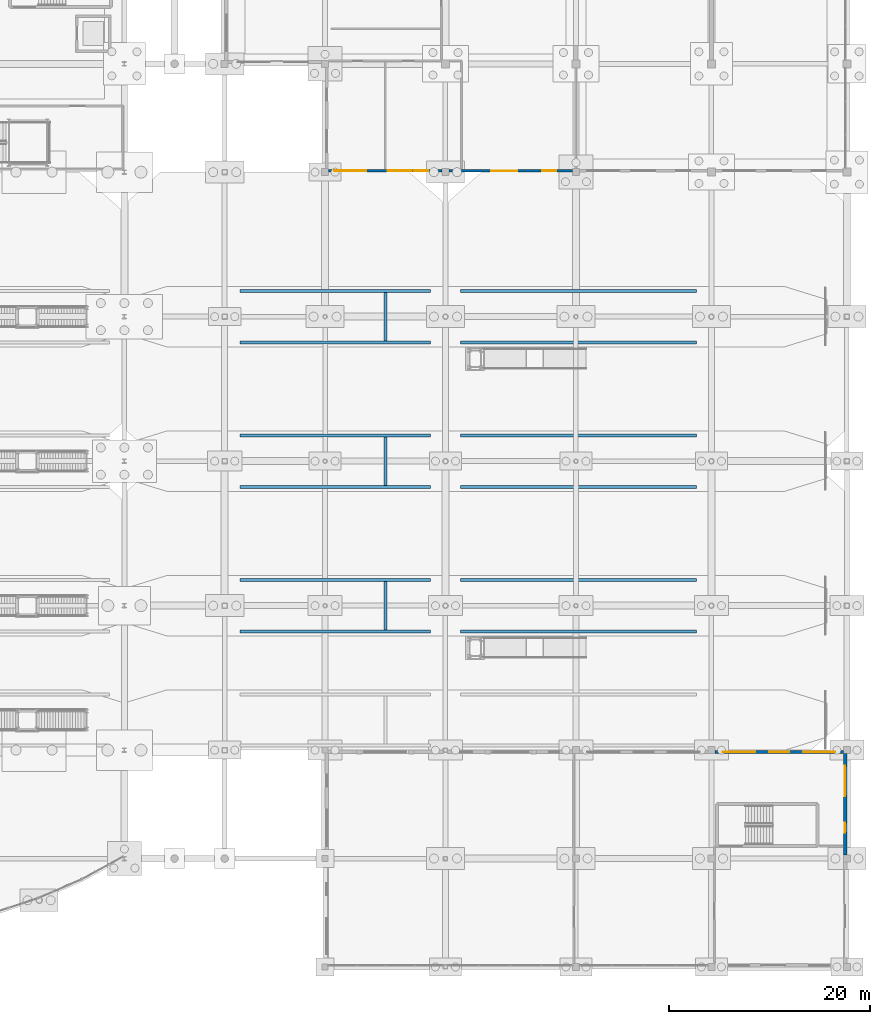
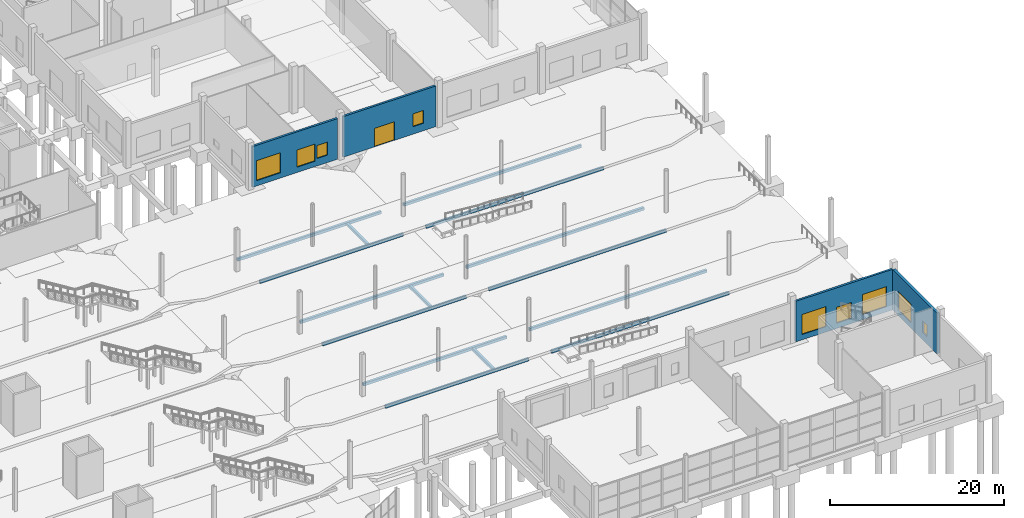
# One storey, part 93 of 115: 19 walls, 9 windows, 1 door, 10 openings.
"""IFC4 building model written with IfcOpenShell, lengths in metres."""

from ifc_helpers import new_model, si_unit, direction, frame, frame_2d, origin, place, context, subcontext, project, spatial, rectangle, extrude, material, layer, layer_set, type_object, element, fill, save


model = new_model("IFC4")

# Units and contexts
model_context = context("Model", 3, precision=1e-05, world=origin(), true_north=direction((0.0, 1.0)))
body_context = subcontext(model_context, "Body", "Model", "MODEL_VIEW")
ifc_project = project(units=[si_unit("LENGTHUNIT", "METRE"), si_unit("AREAUNIT", "SQUARE_METRE"), si_unit("VOLUMEUNIT", "CUBIC_METRE"), si_unit("PLANEANGLEUNIT", "RADIAN"), si_unit("MASSUNIT", "GRAM", prefix="KILO")], contexts=[model_context])

# Site, building, storey
site_placement = place(None, origin())
site = spatial("IfcSite", under=ifc_project, at=site_placement, CompositionType="ELEMENT")
building_placement = place(site_placement, origin())
building = spatial("IfcBuilding", under=site, at=building_placement, Name="Tamarisk Ironworks Central Station", CompositionType="ELEMENT")
storey_placement = place(building_placement, origin())
storey = spatial("IfcBuildingStorey", under=building, at=storey_placement, Name="L00", CompositionType="ELEMENT", Elevation=0.0)

# Wall, openings, windows
ifc_material_1 = material(Name="Clay facing brickwork and mortar", Category="masonry")
ifc_layer_1 = layer(ifc_material_1, 0.280029296875)
ifc_layer_set_1 = layer_set([ifc_layer_1], Name="Clay facing brickwork and mortar")
wall_type_1 = type_object("IfcWallType", Name="WL-BR280", PredefinedType="STANDARD", material=ifc_layer_set_1)
wall_1_placement = place(storey_placement, frame((128.347900390625, 79.340087890625, 0.0), z_axis=(0.0, 0.0, 1.0), x_axis=(1.0, 0.0, 0.0)))
wall_1 = element("IfcWall", 1, at=wall_1_placement, inside=storey, type_object=wall_type_1, Name="L00 brick facade wall 0045", PredefinedType="STANDARD", context=body_context, shape_type="SweptSolid", body=[
    extrude(rectangle(XDim=11.30419921875, YDim=0.280029296875, at=frame_2d((5.652099609375, 0.0))), origin(), (0.0, 0.0, 1.0), 5.68994140625),
])
opening_1_placement = place(wall_1_placement, frame((0.551025390625, 0.0, 0.75)))
opening_1 = element("IfcOpeningElement", 2, at=opening_1_placement, cuts=wall_1, Name="Opening W02", PredefinedType="OPENING", context=body_context, shape_type="SweptSolid", body=[
    extrude(rectangle(XDim=3.199951171875, YDim=2.800048828125, at=frame_2d((1.60009765625, 1.39990234375))), frame((0.0, 0.15185546875, 0.0), z_axis=(0.0, -1.0, 0.0), x_axis=(1.0, 0.0, 0.0)), (0.0, 0.0, 1.0), 0.303955078125),
])
opening_2_placement = place(wall_1_placement, frame((5.902099609375, 0.0, 0.75)))
opening_2 = element("IfcOpeningElement", 3, at=opening_2_placement, cuts=wall_1, Name="Opening W06", PredefinedType="OPENING", context=body_context, shape_type="SweptSolid", body=[
    extrude(rectangle(XDim=2.39990234375, YDim=2.39990234375, at=frame_2d((1.199951171875, 1.199951171875))), frame((0.0, 0.15185546875, 0.0), z_axis=(0.0, -1.0, 0.0), x_axis=(1.0, 0.0, 0.0)), (0.0, 0.0, 1.0), 0.303955078125),
])
opening_3_placement = place(wall_1_placement, frame((8.552978515625, 0.0, 1.050048828125)))
opening_3 = element("IfcOpeningElement", 4, at=opening_3_placement, cuts=wall_1, Name="Opening W12", PredefinedType="OPENING", context=body_context, shape_type="SweptSolid", body=[
    extrude(rectangle(XDim=1.39990234375, YDim=1.800048828125, at=frame_2d((0.699951171875, 0.89990234375))), frame((0.0, 0.15185546875, 0.0), z_axis=(0.0, -1.0, 0.0), x_axis=(1.0, 0.0, 0.0)), (0.0, 0.0, 1.0), 0.303955078125),
])
ifc_material_2 = material(Name="Laminated solar-control low-E glass", Category="glass")
window_type_1 = type_object("IfcWindowType", Name="WN-02", PartitioningType="SINGLE_PANEL", PredefinedType="WINDOW", material=ifc_material_2)
window_1_placement = place(opening_1_placement, origin())
window_1 = element("IfcWindow", 5, at=window_1_placement, inside=storey, type_object=window_type_1, Name="L00 exterior window 0058", OverallHeight=2.800048828125, OverallWidth=3.199951171875, PartitioningType="DOUBLE_PANEL_VERTICAL", PredefinedType="WINDOW", context=body_context, shape_type="SweptSolid", body=[
    extrude(rectangle(XDim=3.199951171875, YDim=2.800048828125, at=frame_2d((1.60009765625, 1.39990234375))), frame((0.0, 0.030029296875, 0.0), z_axis=(0.0, -1.0, 0.0), x_axis=(1.0, 0.0, 0.0)), (0.0, 0.0, 1.0), 0.06005859375),
])
fill(opening_1, window_1)
window_type_2 = type_object("IfcWindowType", Name="WN-06", PartitioningType="SINGLE_PANEL", PredefinedType="WINDOW", material=ifc_material_2)
window_2_placement = place(opening_2_placement, origin())
window_2 = element("IfcWindow", 6, at=window_2_placement, inside=storey, type_object=window_type_2, Name="L00 exterior window 0059", OverallHeight=2.39990234375, OverallWidth=2.39990234375, PartitioningType="DOUBLE_PANEL_VERTICAL", PredefinedType="WINDOW", context=body_context, shape_type="SweptSolid", body=[
    extrude(rectangle(XDim=2.39990234375, YDim=2.39990234375, at=frame_2d((1.199951171875, 1.199951171875))), frame((0.0, 0.030029296875, 0.0), z_axis=(0.0, -1.0, 0.0), x_axis=(1.0, 0.0, 0.0)), (0.0, 0.0, 1.0), 0.06005859375),
])
fill(opening_2, window_2)
window_type_3 = type_object("IfcWindowType", Name="WN-12", PartitioningType="SINGLE_PANEL", PredefinedType="WINDOW", material=ifc_material_2)
window_3_placement = place(opening_3_placement, origin())
window_3 = element("IfcWindow", 7, at=window_3_placement, inside=storey, type_object=window_type_3, Name="L00 exterior window 0060", OverallHeight=1.800048828125, OverallWidth=1.39990234375, PartitioningType="DOUBLE_PANEL_VERTICAL", PredefinedType="WINDOW", context=body_context, shape_type="SweptSolid", body=[
    extrude(rectangle(XDim=1.39990234375, YDim=1.800048828125, at=frame_2d((0.699951171875, 0.89990234375))), frame((0.0, 0.030029296875, 0.0), z_axis=(0.0, -1.0, 0.0), x_axis=(1.0, 0.0, 0.0)), (0.0, 0.0, 1.0), 0.06005859375),
])
fill(opening_3, window_3)

# Wall, openings, door, window
wall_2_placement = place(storey_placement, frame((140.347900390625, 79.340087890625, 0.0), z_axis=(0.0, 0.0, 1.0), x_axis=(1.0, 0.0, 0.0)))
wall_2 = element("IfcWall", 8, at=wall_2_placement, inside=storey, type_object=wall_type_1, Name="L00 brick facade wall 0046", PredefinedType="STANDARD", context=body_context, shape_type="SweptSolid", body=[
    extrude(rectangle(XDim=12.30419921875, YDim=0.280029296875, at=frame_2d((6.152099609375, 0.0))), origin(), (0.0, 0.0, 1.0), 5.68994140625),
])
opening_4_placement = place(wall_2_placement, frame((4.199951171875, 0.0, 0.0048828125)))
opening_4 = element("IfcOpeningElement", 9, at=opening_4_placement, cuts=wall_2, Name="Opening ED04", PredefinedType="OPENING", context=body_context, shape_type="SweptSolid", body=[
    extrude(rectangle(XDim=2.60009765625, YDim=2.60009765625, at=frame_2d((1.300048828125, 1.300048828125))), frame((0.0, 0.15185546875, 0.0), z_axis=(0.0, -1.0, 0.0), x_axis=(1.0, 0.0, 0.0)), (0.0, 0.0, 1.0), 0.303955078125),
])
opening_5_placement = place(wall_2_placement, frame((9.287109375, 0.0, 1.050048828125)))
opening_5 = element("IfcOpeningElement", 10, at=opening_5_placement, cuts=wall_2, Name="Opening W12", PredefinedType="OPENING", context=body_context, shape_type="SweptSolid", body=[
    extrude(rectangle(XDim=1.39990234375, YDim=1.800048828125, at=frame_2d((0.699951171875, 0.89990234375))), frame((0.0, 0.15185546875, 0.0), z_axis=(0.0, -1.0, 0.0), x_axis=(1.0, 0.0, 0.0)), (0.0, 0.0, 1.0), 0.303955078125),
])
ifc_material_3 = material(Name="Anodized aluminium alloy 6063-T6", Category="aluminium")
door_type = type_object("IfcDoorType", Name="DR-ED04", OperationType="NOTDEFINED", PredefinedType="DOOR", material=ifc_material_3)
door_placement = place(opening_4_placement, origin())
door = element("IfcDoor", 11, at=door_placement, inside=storey, type_object=door_type, Name="L00 exterior entrance door 0012", OperationType="DOUBLE_DOOR_SINGLE_SWING", OverallHeight=2.60009765625, OverallWidth=2.60009765625, PredefinedType="DOOR", context=body_context, shape_type="SweptSolid", body=[
    extrude(rectangle(XDim=2.60009765625, YDim=2.60009765625, at=frame_2d((1.300048828125, 1.300048828125))), frame((0.0, 0.02490234375, 0.0), z_axis=(0.0, -1.0, 0.0), x_axis=(1.0, 0.0, 0.0)), (0.0, 0.0, 1.0), 0.050048828125),
])
fill(opening_4, door)
window_4_placement = place(opening_5_placement, origin())
window_4 = element("IfcWindow", 12, at=window_4_placement, inside=storey, type_object=window_type_3, Name="L00 exterior window 0061", OverallHeight=1.800048828125, OverallWidth=1.39990234375, PartitioningType="DOUBLE_PANEL_VERTICAL", PredefinedType="WINDOW", context=body_context, shape_type="SweptSolid", body=[
    extrude(rectangle(XDim=1.39990234375, YDim=1.800048828125, at=frame_2d((0.699951171875, 0.89990234375))), frame((0.0, 0.030029296875, 0.0), z_axis=(0.0, -1.0, 0.0), x_axis=(1.0, 0.0, 0.0)), (0.0, 0.0, 1.0), 0.06005859375),
])
fill(opening_5, window_4)

# Wall, openings, windows
wall_3_placement = place(storey_placement, frame((166.847900390625, 21.429931640625, 0.0), z_axis=(0.0, 0.0, 1.0), x_axis=(1.0, 0.0, 0.0)))
wall_3 = element("IfcWall", 13, at=wall_3_placement, inside=storey, type_object=wall_type_1, Name="L00 brick facade wall 0113", PredefinedType="STANDARD", context=body_context, shape_type="SweptSolid", body=[
    extrude(rectangle(XDim=12.80419921875, YDim=0.280029296875, at=frame_2d((6.402099609375, 0.0))), origin(), (0.0, 0.0, 1.0), 5.68994140625),
])
opening_6_placement = place(wall_3_placement, frame((0.801025390625, 0.0, 0.75)))
opening_6 = element("IfcOpeningElement", 14, at=opening_6_placement, cuts=wall_3, Name="Opening W02", PredefinedType="OPENING", context=body_context, shape_type="SweptSolid", body=[
    extrude(rectangle(XDim=3.199951171875, YDim=2.800048828125, at=frame_2d((1.60009765625, 1.39990234375))), frame((0.0, 0.15185546875, 0.0), z_axis=(0.0, -1.0, 0.0), x_axis=(1.0, 0.0, 0.0)), (0.0, 0.0, 1.0), 0.303955078125),
])
opening_7_placement = place(wall_3_placement, frame((5.402099609375, 0.0, 0.75)))
opening_7 = element("IfcOpeningElement", 15, at=opening_7_placement, cuts=wall_3, Name="Opening W08", PredefinedType="OPENING", context=body_context, shape_type="SweptSolid", body=[
    extrude(rectangle(XDim=2.0, YDim=2.199951171875, at=frame_2d((1.0, 1.10009765625))), frame((0.0, 0.15185546875, 0.0), z_axis=(0.0, -1.0, 0.0), x_axis=(1.0, 0.0, 0.0)), (0.0, 0.0, 1.0), 0.303955078125),
])
opening_8_placement = place(wall_3_placement, frame((8.802978515625, 0.0, 0.75)))
opening_8 = element("IfcOpeningElement", 16, at=opening_8_placement, cuts=wall_3, Name="Opening W02", PredefinedType="OPENING", context=body_context, shape_type="SweptSolid", body=[
    extrude(rectangle(XDim=3.199951171875, YDim=2.800048828125, at=frame_2d((1.60009765625, 1.39990234375))), frame((0.0, 0.15185546875, 0.0), z_axis=(0.0, -1.0, 0.0), x_axis=(1.0, 0.0, 0.0)), (0.0, 0.0, 1.0), 0.303955078125),
])
window_5_placement = place(opening_6_placement, origin())
window_5 = element("IfcWindow", 17, at=window_5_placement, inside=storey, type_object=window_type_1, Name="L00 exterior window 0187", OverallHeight=2.800048828125, OverallWidth=3.199951171875, PartitioningType="DOUBLE_PANEL_VERTICAL", PredefinedType="WINDOW", context=body_context, shape_type="SweptSolid", body=[
    extrude(rectangle(XDim=3.199951171875, YDim=2.800048828125, at=frame_2d((1.60009765625, 1.39990234375))), frame((0.0, 0.030029296875, 0.0), z_axis=(0.0, -1.0, 0.0), x_axis=(1.0, 0.0, 0.0)), (0.0, 0.0, 1.0), 0.06005859375),
])
fill(opening_6, window_5)
window_6_placement = place(opening_8_placement, origin())
window_6 = element("IfcWindow", 18, at=window_6_placement, inside=storey, type_object=window_type_1, Name="L00 exterior window 0189", OverallHeight=2.800048828125, OverallWidth=3.199951171875, PartitioningType="DOUBLE_PANEL_VERTICAL", PredefinedType="WINDOW", context=body_context, shape_type="SweptSolid", body=[
    extrude(rectangle(XDim=3.199951171875, YDim=2.800048828125, at=frame_2d((1.60009765625, 1.39990234375))), frame((0.0, 0.030029296875, 0.0), z_axis=(0.0, -1.0, 0.0), x_axis=(1.0, 0.0, 0.0)), (0.0, 0.0, 1.0), 0.06005859375),
])
fill(opening_8, window_6)
window_type_4 = type_object("IfcWindowType", Name="WN-08", PartitioningType="SINGLE_PANEL", PredefinedType="WINDOW", material=ifc_material_2)
window_7_placement = place(opening_7_placement, origin())
window_7 = element("IfcWindow", 19, at=window_7_placement, inside=storey, type_object=window_type_4, Name="L00 exterior window 0188", OverallHeight=2.199951171875, OverallWidth=2.0, PartitioningType="DOUBLE_PANEL_VERTICAL", PredefinedType="WINDOW", context=body_context, shape_type="SweptSolid", body=[
    extrude(rectangle(XDim=2.0, YDim=2.199951171875, at=frame_2d((1.0, 1.10009765625))), frame((0.0, 0.030029296875, 0.0), z_axis=(0.0, -1.0, 0.0), x_axis=(1.0, 0.0, 0.0)), (0.0, 0.0, 1.0), 0.06005859375),
])
fill(opening_7, window_7)

ifc_layer_2 = layer(ifc_material_1, 0.340087890625)
ifc_layer_set_2 = layer_set([ifc_layer_2], Name="Clay facing brickwork and mortar")
wall_type_2 = type_object("IfcWallType", Name="WL-BR340", PredefinedType="STANDARD", material=ifc_layer_set_2)
wall_4_placement = place(storey_placement, frame((179.830078125, 21.251953125, 0.0), z_axis=(0.0, 0.0, 1.0), x_axis=(0.0, -1.0, 0.0)))
wall_4 = element("IfcWall", 20, at=wall_4_placement, inside=storey, type_object=wall_type_2, Name="L00 brick facade wall 0117", PredefinedType="STANDARD", context=body_context, shape_type="SweptSolid", body=[
    extrude(rectangle(XDim=10.10400390625, YDim=0.340087890625, at=frame_2d((5.052001953125, 0.0))), origin(), (0.0, 0.0, 1.0), 5.68994140625),
])
opening_9_placement = place(wall_4_placement, frame((1.22607421875, 0.0, 0.75)))
opening_9 = element("IfcOpeningElement", 21, at=opening_9_placement, cuts=wall_4, Name="Opening W03", PredefinedType="OPENING", context=body_context, shape_type="SweptSolid", body=[
    extrude(rectangle(XDim=3.0, YDim=2.60009765625, at=frame_2d((1.5, 1.300048828125))), frame((0.0, 0.18212890625, 0.0), z_axis=(0.0, -1.0, 0.0), x_axis=(1.0, 0.0, 0.0)), (0.0, 0.0, 1.0), 0.364013671875),
])
opening_10_placement = place(wall_4_placement, frame((6.8779296875, 0.0, 1.050048828125)))
opening_10 = element("IfcOpeningElement", 22, at=opening_10_placement, cuts=wall_4, Name="Opening W14", PredefinedType="OPENING", context=body_context, shape_type="SweptSolid", body=[
    extrude(rectangle(XDim=1.0, YDim=1.60009765625, at=frame_2d((0.5, 0.800048828125))), frame((0.0, 0.18212890625, 0.0), z_axis=(0.0, -1.0, 0.0), x_axis=(1.0, 0.0, 0.0)), (0.0, 0.0, 1.0), 0.364013671875),
])
window_type_5 = type_object("IfcWindowType", Name="WN-03", PartitioningType="SINGLE_PANEL", PredefinedType="WINDOW", material=ifc_material_2)
window_8_placement = place(opening_9_placement, origin())
window_8 = element("IfcWindow", 23, at=window_8_placement, inside=storey, type_object=window_type_5, Name="L00 exterior window 0194", OverallHeight=2.60009765625, OverallWidth=3.0, PartitioningType="DOUBLE_PANEL_VERTICAL", PredefinedType="WINDOW", context=body_context, shape_type="SweptSolid", body=[
    extrude(rectangle(XDim=3.0, YDim=2.60009765625, at=frame_2d((1.5, 1.300048828125))), frame((0.0, 0.030029296875, 0.0), z_axis=(0.0, -1.0, 0.0), x_axis=(1.0, 0.0, 0.0)), (0.0, 0.0, 1.0), 0.06005859375),
])
fill(opening_9, window_8)
window_type_6 = type_object("IfcWindowType", Name="WN-14", PartitioningType="SINGLE_PANEL", PredefinedType="WINDOW", material=ifc_material_2)
window_9_placement = place(opening_10_placement, origin())
window_9 = element("IfcWindow", 24, at=window_9_placement, inside=storey, type_object=window_type_6, Name="L00 exterior window 0195", OverallHeight=1.60009765625, OverallWidth=1.0, PartitioningType="DOUBLE_PANEL_VERTICAL", PredefinedType="WINDOW", context=body_context, shape_type="SweptSolid", body=[
    extrude(rectangle(XDim=1.0, YDim=1.60009765625, at=frame_2d((0.5, 0.800048828125))), frame((0.0, 0.030029296875, 0.0), z_axis=(0.0, -1.0, 0.0), x_axis=(1.0, 0.0, 0.0)), (0.0, 0.0, 1.0), 0.06005859375),
])
fill(opening_10, window_9)

# Walls
ifc_material_4 = material(Name="Concrete C50/60", Category="concrete")
ifc_layer_3 = layer(ifc_material_4, 0.300048828125)
ifc_layer_set_3 = layer_set([ifc_layer_3], Name="Concrete C50/60")
wall_type_3 = type_object("IfcWallType", Name="WL-CW300", PredefinedType="SOLIDWALL", material=ifc_layer_set_3)
for number, where, z_axis, x_axis, name in (
    (25, (119.5, 33.449951171875, 0.0), (0.0, 0.0, 1.0), (1.0, 0.0, 0.0), "Platform P2 E structural plinth wall 022"),
    (26, (119.5, 38.550048828125, 0.0), (0.0, 0.0, 1.0), (1.0, 0.0, 0.0), "Platform P2 E structural plinth wall 023"),
):
    element("IfcWall", number, at=place(storey_placement, frame(where, z_axis=z_axis, x_axis=x_axis)), inside=storey, type_object=wall_type_3, Name=name, PredefinedType="SOLIDWALL", context=body_context, shape_type="SweptSolid", body=[
        extrude(rectangle(XDim=19.0, YDim=0.300048828125, at=frame_2d((9.5, 0.0))), origin(), (0.0, 0.0, 1.0), 0.375),
    ])
for number, where, z_axis, x_axis, name in (
    (27, (141.5, 33.449951171875, 0.0), (0.0, 0.0, 1.0), (1.0, 0.0, 0.0), "Platform P2 E structural plinth wall 024"),
    (28, (141.5, 38.550048828125, 0.0), (0.0, 0.0, 1.0), (1.0, 0.0, 0.0), "Platform P2 E structural plinth wall 025"),
):
    element("IfcWall", number, at=place(storey_placement, frame(where, z_axis=z_axis, x_axis=x_axis)), inside=storey, type_object=wall_type_3, Name=name, PredefinedType="SOLIDWALL", context=body_context, shape_type="SweptSolid", body=[
        extrude(rectangle(XDim=23.5, YDim=0.300048828125, at=frame_2d((11.75, 0.0))), origin(), (0.0, 0.0, 1.0), 0.375),
    ])
wall_5_placement = place(storey_placement, frame((134.0, 33.60009765625, 0.0), z_axis=(0.0, 0.0, 1.0), x_axis=(0.0, 1.0, 0.0)))
element("IfcWall", 29, at=wall_5_placement, inside=storey, type_object=wall_type_3, Name="Platform P2 E transverse diaphragm wall 026", PredefinedType="SOLIDWALL", context=body_context, shape_type="SweptSolid", body=[
    extrude(rectangle(XDim=4.7998046875, YDim=0.300048828125, at=frame_2d((2.39990234375, 0.0))), origin(), (0.0, 0.0, 1.0), 0.375),
])
for number, where, z_axis, x_axis, name in (
    (30, (119.5, 47.85009765625, 0.0), (0.0, 0.0, 1.0), (1.0, 0.0, 0.0), "Platform P3 E structural plinth wall 035"),
    (31, (119.5, 52.949951171875, 0.0), (0.0, 0.0, 1.0), (1.0, 0.0, 0.0), "Platform P3 E structural plinth wall 036"),
):
    element("IfcWall", number, at=place(storey_placement, frame(where, z_axis=z_axis, x_axis=x_axis)), inside=storey, type_object=wall_type_3, Name=name, PredefinedType="SOLIDWALL", context=body_context, shape_type="SweptSolid", body=[
        extrude(rectangle(XDim=19.0, YDim=0.300048828125, at=frame_2d((9.5, 0.0))), origin(), (0.0, 0.0, 1.0), 0.375),
    ])
for number, where, z_axis, x_axis, name in (
    (32, (141.5, 47.85009765625, 0.0), (0.0, 0.0, 1.0), (1.0, 0.0, 0.0), "Platform P3 E structural plinth wall 037"),
    (33, (141.5, 52.949951171875, 0.0), (0.0, 0.0, 1.0), (1.0, 0.0, 0.0), "Platform P3 E structural plinth wall 038"),
):
    element("IfcWall", number, at=place(storey_placement, frame(where, z_axis=z_axis, x_axis=x_axis)), inside=storey, type_object=wall_type_3, Name=name, PredefinedType="SOLIDWALL", context=body_context, shape_type="SweptSolid", body=[
        extrude(rectangle(XDim=23.5, YDim=0.300048828125, at=frame_2d((11.75, 0.0))), origin(), (0.0, 0.0, 1.0), 0.375),
    ])
wall_6_placement = place(storey_placement, frame((134.0, 48.0, 0.0), z_axis=(0.0, 0.0, 1.0), x_axis=(0.0, 1.0, 0.0)))
element("IfcWall", 34, at=wall_6_placement, inside=storey, type_object=wall_type_3, Name="Platform P3 E transverse diaphragm wall 039", PredefinedType="SOLIDWALL", context=body_context, shape_type="SweptSolid", body=[
    extrude(rectangle(XDim=4.800048828125, YDim=0.300048828125, at=frame_2d((2.39990234375, 0.0))), origin(), (0.0, 0.0, 1.0), 0.375),
])
for number, where, z_axis, x_axis, name in (
    (35, (119.5, 62.25, 0.0), (0.0, 0.0, 1.0), (1.0, 0.0, 0.0), "Platform P4 E structural plinth wall 048"),
    (36, (119.5, 67.35009765625, 0.0), (0.0, 0.0, 1.0), (1.0, 0.0, 0.0), "Platform P4 E structural plinth wall 049"),
):
    element("IfcWall", number, at=place(storey_placement, frame(where, z_axis=z_axis, x_axis=x_axis)), inside=storey, type_object=wall_type_3, Name=name, PredefinedType="SOLIDWALL", context=body_context, shape_type="SweptSolid", body=[
        extrude(rectangle(XDim=19.0, YDim=0.300048828125, at=frame_2d((9.5, 0.0))), origin(), (0.0, 0.0, 1.0), 0.375),
    ])
for number, where, z_axis, x_axis, name in (
    (37, (141.5, 62.25, 0.0), (0.0, 0.0, 1.0), (1.0, 0.0, 0.0), "Platform P4 E structural plinth wall 050"),
    (38, (141.5, 67.35009765625, 0.0), (0.0, 0.0, 1.0), (1.0, 0.0, 0.0), "Platform P4 E structural plinth wall 051"),
):
    element("IfcWall", number, at=place(storey_placement, frame(where, z_axis=z_axis, x_axis=x_axis)), inside=storey, type_object=wall_type_3, Name=name, PredefinedType="SOLIDWALL", context=body_context, shape_type="SweptSolid", body=[
        extrude(rectangle(XDim=23.5, YDim=0.300048828125, at=frame_2d((11.75, 0.0))), origin(), (0.0, 0.0, 1.0), 0.375),
    ])
wall_7_placement = place(storey_placement, frame((134.0, 62.39990234375, 0.0), z_axis=(0.0, 0.0, 1.0), x_axis=(0.0, 1.0, 0.0)))
element("IfcWall", 39, at=wall_7_placement, inside=storey, type_object=wall_type_3, Name="Platform P4 E transverse diaphragm wall 052", PredefinedType="SOLIDWALL", context=body_context, shape_type="SweptSolid", body=[
    extrude(rectangle(XDim=4.800048828125, YDim=0.300048828125, at=frame_2d((2.39990234375, 0.0))), origin(), (0.0, 0.0, 1.0), 0.375),
])

save(model, "model.ifc")
